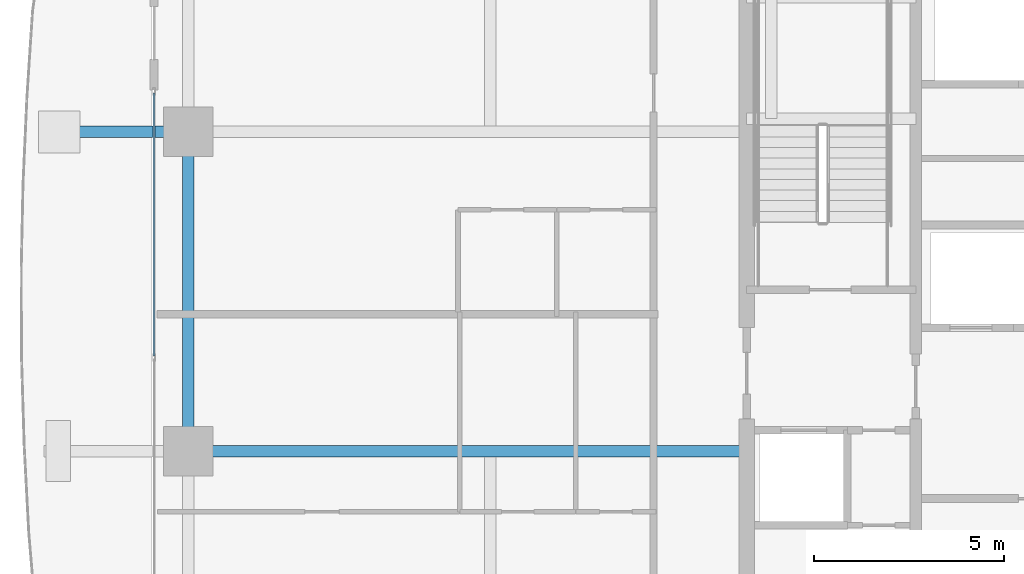
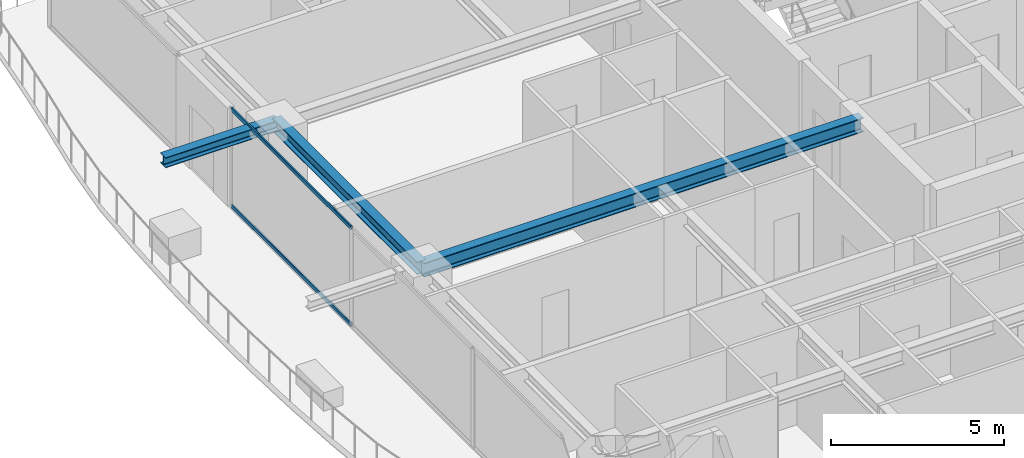
# One storey, part 9 of 37: 3 beams, 2 members, 1 element without a shape of its own.
"""IFC4 building model written with IfcOpenShell, lengths in metres."""

import ifcopenshell
import ifcopenshell.guid

model = None  # the IFC model being written
_history = None  # IfcOwnerHistory: only IFC2X3 demands one
_inside = {}  # id of a spatial element -> (the spatial element, [elements in it])
_under = {}  # id of a project, library or spatial element -> (it, [spatial elements below it])
_declared = {}  # id of a project -> (the project, [libraries it declares])
_typed = {}  # id of a type object -> (the type object, [elements of that type])
_made_of = {}  # id of a material, layer set ... -> (it, [elements and type objects made of it])


def new_model(schema):
    """Start an empty IFC model of exactly this schema.

    Asked for "IFC4X3", IfcOpenShell would pick the latest addendum, in which some entities
    have other attributes; the version numbers below select the first issue.
    IFC2X3 requires an IfcOwnerHistory on every rooted entity: one is made here for all.
    """
    global model, _history
    if schema == "IFC4X3":
        model = ifcopenshell.file(schema_version=(4, 3, 0, 0))
    else:
        model = ifcopenshell.file(schema=schema)
    _inside.clear()
    _under.clear()
    _declared.clear()
    _typed.clear()
    _made_of.clear()
    _history = None
    if model.schema == "IFC2X3":
        org = make("IfcOrganization", Name="unknown")
        user = make(
            "IfcPersonAndOrganization",
            ThePerson=make("IfcPerson", FamilyName="unknown"),
            TheOrganization=org,
        )
        app = make(
            "IfcApplication",
            ApplicationDeveloper=org,
            Version="unknown",
            ApplicationFullName="unknown",
            ApplicationIdentifier="unknown",
        )
        _history = make(
            "IfcOwnerHistory",
            OwningUser=user,
            OwningApplication=app,
            ChangeAction="ADDED",
            CreationDate=0,
        )
    return model


def make(cls, **values):
    """One entity of the class cls with the attributes given. An attribute that is None is left unset."""
    return model.create_entity(
        cls, **{name: value for name, value in values.items() if value is not None}
    )


def rooted(cls, **values):
    """An entity with a GlobalId (a new one), such as an element, a storey or a relation."""
    return make(cls, GlobalId=ifcopenshell.guid.new(), OwnerHistory=_history, **values)


def si_unit(unit_type, name, prefix=None):
    """IfcSIUnit, for example si_unit("LENGTHUNIT", "METRE", prefix="MILLI")."""
    return make("IfcSIUnit", UnitType=unit_type, Prefix=prefix, Name=name)


def assignment(units):
    """IfcUnitAssignment: the units of a project."""
    return None if units is None else make("IfcUnitAssignment", Units=units)


def point(xyz):
    """IfcCartesianPoint."""
    return None if xyz is None else make("IfcCartesianPoint", Coordinates=xyz)


def direction(xyz):
    """IfcDirection."""
    return None if xyz is None else make("IfcDirection", DirectionRatios=xyz)


def frame(location, z_axis=None, x_axis=None):
    """IfcAxis2Placement3D, a coordinate frame: its origin and axes. An axis left out is left unset."""
    return make(
        "IfcAxis2Placement3D",
        Location=point(location),
        Axis=direction(z_axis),
        RefDirection=direction(x_axis),
    )


def frame_2d(location, x_axis=None):
    """IfcAxis2Placement2D, a coordinate frame in the plane: its origin and x axis."""
    return make(
        "IfcAxis2Placement2D", Location=point(location), RefDirection=direction(x_axis)
    )


def origin():
    """The frame at (0, 0, 0) with its axes left unset."""
    return frame((0.0, 0.0, 0.0))


def origin_2d():
    """The frame at (0, 0) in the plane with its x axis left unset."""
    return frame_2d((0.0, 0.0))


def place(relative_to, where):
    """IfcLocalPlacement: puts the frame where relative to a parent placement (None: the world)."""
    return make(
        "IfcLocalPlacement", PlacementRelTo=relative_to, RelativePlacement=where
    )


def context(
    kind, dimensions, precision=None, world=None, true_north=None, identifier=None
):
    """IfcGeometricRepresentationContext, for example the 3D "Model" context."""
    return make(
        "IfcGeometricRepresentationContext",
        ContextIdentifier=identifier,
        ContextType=kind,
        CoordinateSpaceDimension=dimensions,
        Precision=precision,
        WorldCoordinateSystem=world,
        TrueNorth=true_north,
    )


def subcontext(parent, identifier, kind, view, scale=None):
    """IfcGeometricRepresentationSubContext, for example "Body" below "Model"."""
    return make(
        "IfcGeometricRepresentationSubContext",
        ContextIdentifier=identifier,
        ContextType=kind,
        ParentContext=parent,
        TargetScale=scale,
        TargetView=view,
    )


def project(units=None, contexts=None):
    """IfcProject with its units and contexts."""
    return rooted(
        "IfcProject",
        Name="project",
        RepresentationContexts=contexts,
        UnitsInContext=assignment(units),
    )


def spatial(cls, under=None, at=None, **own):
    """A site, building, storey or space (cls), placed at a placement, below another one or the project."""
    s = rooted(cls, ObjectPlacement=at, **own)
    if under is not None:
        _under.setdefault(under.id(), (under, []))[1].append(s)
    return s


def profile(cls, at=None, kind="AREA", **sizes):
    """A parametric profile (cls). Its sizes go by their IFC names, for example OverallWidth=200.0."""
    return make(cls, ProfileType=kind, Position=at, **sizes)


def hollow_rectangle(**sizes):
    """IfcRectangleHollowProfileDef."""
    return profile("IfcRectangleHollowProfileDef", **sizes)


def i_section(**sizes):
    """IfcIShapeProfileDef."""
    return profile("IfcIShapeProfileDef", **sizes)


def extrude(swept, where, along, depth):
    """IfcExtrudedAreaSolid: the profile swept, set in the frame where, extruded along a direction by depth."""
    return make(
        "IfcExtrudedAreaSolid",
        SweptArea=swept,
        Position=where,
        ExtrudedDirection=direction(along),
        Depth=depth,
    )


def shape(context_of_items, identifier, shape_type, items):
    """IfcShapeRepresentation: the items that make up one representation, for example the "Body"."""
    return make(
        "IfcShapeRepresentation",
        ContextOfItems=context_of_items,
        RepresentationIdentifier=identifier,
        RepresentationType=shape_type,
        Items=items,
    )


def source(mapping_origin, context_of_items, identifier, shape_type, items):
    """IfcRepresentationMap: a shape defined once, which mapped items show again and again."""
    return make(
        "IfcRepresentationMap",
        MappingOrigin=mapping_origin,
        MappedRepresentation=shape(context_of_items, identifier, shape_type, items),
    )


def transform(
    local_origin,
    x_axis=None,
    y_axis=None,
    z_axis=None,
    scale=None,
    scale2=None,
    scale3=None,
    uniform=True,
):
    """IfcCartesianTransformationOperator3D, or its non-uniform kind. x_axis, y_axis, z_axis: its Axis1, 2, 3."""
    if uniform:
        return make(
            "IfcCartesianTransformationOperator3D",
            Axis1=direction(x_axis),
            Axis2=direction(y_axis),
            LocalOrigin=point(local_origin),
            Scale=scale,
            Axis3=direction(z_axis),
        )
    return make(
        "IfcCartesianTransformationOperator3DnonUniform",
        Axis1=direction(x_axis),
        Axis2=direction(y_axis),
        LocalOrigin=point(local_origin),
        Scale=scale,
        Axis3=direction(z_axis),
        Scale2=scale2,
        Scale3=scale3,
    )


def mapped(mapping_source, mapping_target):
    """IfcMappedItem: shows the shape of a source again, moved by a transform."""
    return make(
        "IfcMappedItem", MappingSource=mapping_source, MappingTarget=mapping_target
    )


def material(Name=None, Category=None):
    """IfcMaterial."""
    return make("IfcMaterial", Name=Name, Category=Category)


def layer(
    of_material, thickness, ventilated=None, Name=None, Category=None, Priority=None
):
    """IfcMaterialLayer: one layer of a wall or slab, of a material (None: an air gap)."""
    return make(
        "IfcMaterialLayer",
        Material=of_material,
        LayerThickness=thickness,
        IsVentilated=ventilated,
        Name=Name,
        Category=Category,
        Priority=Priority,
    )


def layer_set(layers, Name=None):
    """IfcMaterialLayerSet."""
    return make("IfcMaterialLayerSet", MaterialLayers=layers, LayerSetName=Name)


def material_profile(
    of_material, cross_section, Name=None, Category=None, Priority=None
):
    """IfcMaterialProfile: a cross section and its material."""
    return make(
        "IfcMaterialProfile",
        Name=Name,
        Material=of_material,
        Profile=cross_section,
        Priority=Priority,
        Category=Category,
    )


def profile_set(profiles, Name=None, composite=None):
    """IfcMaterialProfileSet."""
    return make(
        "IfcMaterialProfileSet",
        Name=Name,
        MaterialProfiles=profiles,
        CompositeProfile=composite,
    )


def made_of(thing, what):
    """Note that an element or type object is made of a material, layer set ...; save() writes the relation."""
    if what is not None:
        _made_of.setdefault(what.id(), (what, []))[1].append(thing)
    return thing


def type_object(cls, material=None, **own):
    """A type object (cls), such as IfcWallType, which elements share."""
    return made_of(rooted(cls, **own), material)


def element(
    cls,
    number,
    at=None,
    inside=None,
    cuts=None,
    type_object=None,
    material=None,
    context=None,
    identifier="Body",
    shape_type=None,
    held_by="IfcProductDefinitionShape",
    body=None,
    shapes=None,
    **own,
):
    """One element of the class cls, such as IfcWall. Its Tag is "e" and its number.

    at: its placement. inside: the storey or other place that contains it. cuts: it is an
    opening in that element (IfcRelVoidsElement). A single representation is given by context,
    identifier, shape_type and body (its items); several are given by shapes. held_by: the class
    of the entity that holds the representations. save() writes the other relations.
    """
    e = rooted(cls, Tag="e%d" % number, ObjectPlacement=at, **own)
    if body is not None:
        shapes = [shape(context, identifier, shape_type, body)]
    if shapes is not None:
        e.Representation = make(held_by, Representations=shapes)
    if inside is not None:
        _inside.setdefault(inside.id(), (inside, []))[1].append(e)
    if cuts is not None:
        rooted(
            "IfcRelVoidsElement", RelatingBuildingElement=cuts, RelatedOpeningElement=e
        )
    if type_object is not None:
        _typed.setdefault(type_object.id(), (type_object, []))[1].append(e)
    return made_of(e, material)


def aggregate(whole, parts):
    """IfcRelAggregates: a whole, such as a stair, and the parts it consists of."""
    return rooted("IfcRelAggregates", RelatingObject=whole, RelatedObjects=parts)


def save(model, path):
    """Write the relations noted so far, then the file.

    IfcRelAggregates (storeys below a building ...), IfcRelContainedInSpatialStructure (elements
    in a storey), IfcRelDefinesByType, IfcRelAssociatesMaterial and IfcRelDeclares: one each for
    every whole, place, type object, material and project.
    """
    for whole, parts in _under.values():
        aggregate(whole, parts)
    for where, things in _inside.values():
        rooted(
            "IfcRelContainedInSpatialStructure",
            RelatedElements=things,
            RelatingStructure=where,
        )
    for kind, things in _typed.values():
        rooted("IfcRelDefinesByType", RelatedObjects=things, RelatingType=kind)
    for what, things in _made_of.values():
        rooted("IfcRelAssociatesMaterial", RelatedObjects=things, RelatingMaterial=what)
    for by, libraries in _declared.values():
        rooted("IfcRelDeclares", RelatingContext=by, RelatedDefinitions=libraries)
    model.write(path)


model = new_model("IFC4")

# Units and contexts
model_context = context("Model", 3, precision=1e-05, world=origin(), true_north=direction((0.0, 1.0)))
body_context = subcontext(model_context, "Body", "Model", "MODEL_VIEW")
ifc_project = project(units=[si_unit("LENGTHUNIT", "METRE"), si_unit("AREAUNIT", "SQUARE_METRE"), si_unit("VOLUMEUNIT", "CUBIC_METRE"), si_unit("PLANEANGLEUNIT", "RADIAN"), si_unit("MASSUNIT", "GRAM", prefix="KILO")], contexts=[model_context])

# Site, building, storey
site_placement = place(None, origin())
site = spatial("IfcSite", under=ifc_project, at=site_placement, CompositionType="ELEMENT")
building_placement = place(site_placement, origin())
building = spatial("IfcBuilding", under=site, at=building_placement, Name="Serunith Strait Residences", CompositionType="ELEMENT")
storey_placement = place(building_placement, frame((0.0, 0.0, 153.89990234375)))
storey = spatial("IfcBuildingStorey", under=building, at=storey_placement, Name="L38", CompositionType="ELEMENT", Elevation=153.89990234375)

# Beams
ifc_material_1 = material(Name="Steel S355J2", Category="steel")
ifc_material_profile_1 = material_profile(ifc_material_1, i_section(OverallWidth=0.300048828125, OverallDepth=0.449951171875, WebThickness=0.013916015625, FlangeThickness=0.02587890625, FilletRadius=0.027099609375, at=origin_2d()), Name="HEB 450")
ifc_profile_set_1 = profile_set([ifc_material_profile_1], Name="Steel S355J2")
beam_type_1 = type_object("IfcBeamType", Name="BM-HEB450", PredefinedType="BEAM", material=ifc_profile_set_1)
shared_shape_1 = source(origin(), body_context, "Body", "SweptSolid", [
    extrude(i_section(OverallWidth=0.300048828125, OverallDepth=0.449951171875, WebThickness=0.013916015625, FlangeThickness=0.02587890625, FilletRadius=0.027099609375, at=origin_2d()), origin(), (0.0, 0.0, 1.0), 8.39990234375),
])
beam_1_placement = place(storey_placement, frame((8.699951171875, 29.39990234375, 3.26220703125), z_axis=(0.0, -1.0, 0.0), x_axis=(1.0, 0.0, 0.0)))
element("IfcBeam", 1, at=beam_1_placement, inside=storey, type_object=beam_type_1, Name="L38 Perimeter Ring Beam 14", PredefinedType="BEAM", context=body_context, shape_type="MappedRepresentation", body=[
    mapped(shared_shape_1, transform((0.0, 0.0, 0.0), scale=1.0)),
])
ifc_material_profile_2 = material_profile(ifc_material_1, i_section(OverallWidth=0.300048828125, OverallDepth=0.5, WebThickness=0.014404296875, FlangeThickness=0.028076171875, FilletRadius=0.027099609375, at=origin_2d()), Name="HEB 500")
ifc_profile_set_2 = profile_set([ifc_material_profile_2], Name="Steel S355J2")
beam_type_2 = type_object("IfcBeamType", Name="BM-HEB500", PredefinedType="BEAM", material=ifc_profile_set_2)
shared_shape_2 = source(origin(), body_context, "Body", "SweptSolid", [
    extrude(i_section(OverallWidth=0.300048828125, OverallDepth=0.5, WebThickness=0.014404296875, FlangeThickness=0.028076171875, FilletRadius=0.027099609375, at=origin_2d()), origin(), (0.0, 0.0, 1.0), 14.699951171875),
])
beam_2_placement = place(storey_placement, frame((23.39990234375, 21.0, 3.237060546875), z_axis=(-1.0, 0.0, 0.0), x_axis=(0.0, -1.0, 0.0)))
element("IfcBeam", 2, at=beam_2_placement, inside=storey, type_object=beam_type_2, Name="L38 Primary Floor Girder TC-W2", PredefinedType="BEAM", context=body_context, shape_type="MappedRepresentation", body=[
    mapped(shared_shape_2, transform((0.0, 0.0, 0.0), scale=1.0)),
])
ifc_material_profile_3 = material_profile(ifc_material_1, i_section(OverallWidth=0.300048828125, OverallDepth=0.360107421875, WebThickness=0.012451171875, FlangeThickness=0.0224609375, FilletRadius=0.027099609375, at=origin_2d()), Name="HEB 360")
ifc_profile_set_3 = profile_set([ifc_material_profile_3], Name="Steel S355J2")
beam_type_3 = type_object("IfcBeamType", Name="BM-HEB360", PredefinedType="BEAM", material=ifc_profile_set_3)
shared_shape_3 = source(origin(), body_context, "Body", "SweptSolid", [
    extrude(i_section(OverallWidth=0.300048828125, OverallDepth=0.360107421875, WebThickness=0.012451171875, FlangeThickness=0.0224609375, FilletRadius=0.027099609375, at=origin_2d()), origin(), (0.0, 0.0, 1.0), 3.800048828125),
])
beam_3_placement = place(storey_placement, frame((8.699951171875, 29.39990234375, 3.277099609375), z_axis=(-1.0, 0.0, 0.0), x_axis=(0.0, -1.0, 0.0)))
element("IfcBeam", 3, at=beam_3_placement, inside=storey, type_object=beam_type_3, Name="L39 Cantilevered Balcony Rib TC-W3", PredefinedType="BEAM", context=body_context, shape_type="MappedRepresentation", body=[
    mapped(shared_shape_3, transform((0.0, 0.0, 0.0), scale=1.0)),
])

# Curtain wall, members
ifc_material_2 = material(Name="Pale-Champagne Anodised Aluminium", Category="aluminium")
ifc_layer = layer(ifc_material_2, 0.199951171875, Name="Pale-Champagne Anodised Aluminium")
ifc_layer_set = layer_set([ifc_layer], Name="Pale-Champagne Anodised Aluminium")
curtain_wall_type = type_object("IfcCurtainWallType", Name="CW-SYS2", PredefinedType="NOTDEFINED", material=ifc_layer_set)
curtain_wall_placement = place(storey_placement, origin())
curtain_wall = element("IfcCurtainWall", 4, at=curtain_wall_placement, inside=storey, type_object=curtain_wall_type, Name="L38 W Unitised Fritted Curtain Wall", PredefinedType="NOTDEFINED")
ifc_material_profile_4 = material_profile(ifc_material_2, hollow_rectangle(XDim=0.06005859375, YDim=0.139892578125, WallThickness=0.00341796875, InnerFilletRadius=0.00537109375, OuterFilletRadius=0.0087890625, at=origin_2d()), Name="ALU 140x60x3.5")
ifc_profile_set_4 = profile_set([ifc_material_profile_4], Name="Pale-Champagne Anodised Aluminium")
member_type = type_object("IfcMemberType", Name="CW-SYS2-TRAN", PredefinedType="USERDEFINED", material=ifc_profile_set_4)
shared_shape_4 = source(origin(), body_context, "Body", "SweptSolid", [
    extrude(hollow_rectangle(XDim=0.06005859375, YDim=0.139892578125, WallThickness=0.00341796875, InnerFilletRadius=0.00537109375, OuterFilletRadius=0.0087890625, at=origin_2d()), origin(), (0.0, 0.0, 1.0), 6.92822265625),
])
member_1_placement = place(storey_placement, frame((7.800048828125, 30.429931640625, 0.030029296875), z_axis=(0.0, -1.0, 0.0), x_axis=(1.0, 0.0, 0.0)))
member_1 = element("IfcMember", 5, at=member_1_placement, type_object=member_type, Name="CW-2 transom 1.1", ObjectType="TRANSOM", PredefinedType="USERDEFINED", context=body_context, shape_type="MappedRepresentation", body=[
    mapped(shared_shape_4, transform((0.0, 0.0, 0.0), scale=1.0)),
])
member_2_placement = place(storey_placement, frame((7.800048828125, 30.429931640625, 3.445068359375), z_axis=(0.0, -1.0, 0.0), x_axis=(1.0, 0.0, 0.0)))
member_2 = element("IfcMember", 6, at=member_2_placement, type_object=member_type, Name="CW-2 transom 1.2", ObjectType="TRANSOM", PredefinedType="USERDEFINED", context=body_context, shape_type="MappedRepresentation", body=[
    mapped(shared_shape_4, transform((0.0, 0.0, 0.0), scale=1.0)),
])
aggregate(curtain_wall, [member_1, member_2])

save(model, "model.ifc")
